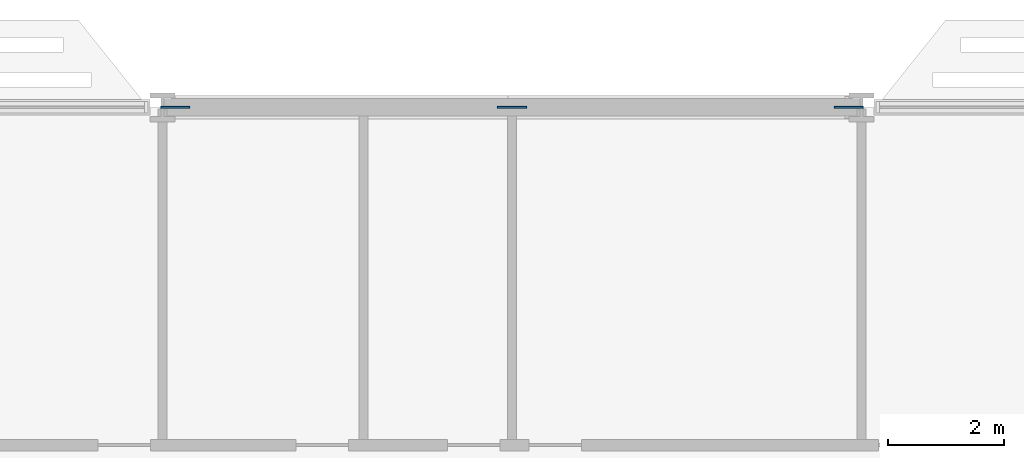
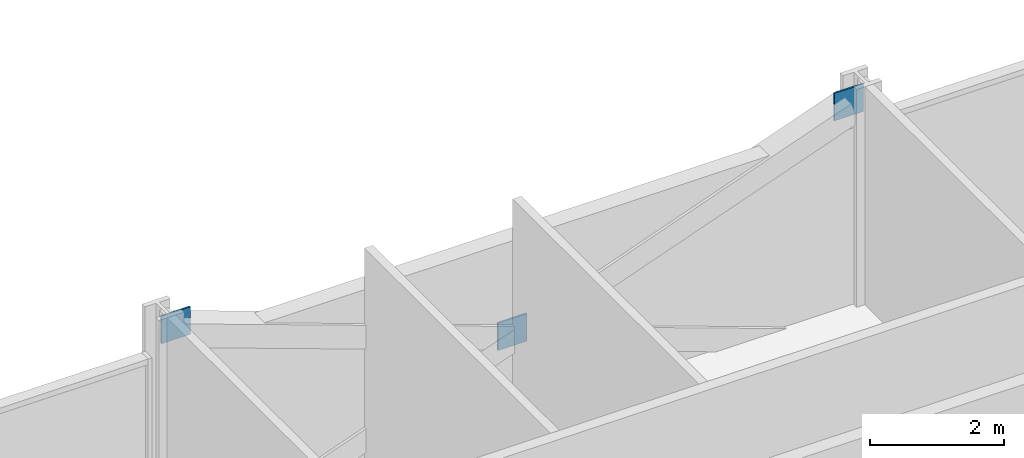
# One storey, part 18 of 26: 3 discrete accessories.
"""IFC4 building model written with IfcOpenShell, lengths in metres."""

from ifc_helpers import new_model, si_unit, direction, frame, origin, origin_2d, place, context, subcontext, project, spatial, rectangle, extrude, material, layer, layer_set, type_object, element, save


model = new_model("IFC4")

# Units and contexts
model_context = context("Model", 3, precision=1e-05, world=origin(), true_north=direction((0.0, 1.0)))
body_context = subcontext(model_context, "Body", "Model", "MODEL_VIEW")
ifc_project = project(units=[si_unit("LENGTHUNIT", "METRE"), si_unit("AREAUNIT", "SQUARE_METRE"), si_unit("VOLUMEUNIT", "CUBIC_METRE"), si_unit("PLANEANGLEUNIT", "RADIAN"), si_unit("MASSUNIT", "GRAM", prefix="KILO")], contexts=[model_context])

# Site, building, storey
site_placement = place(None, origin())
site = spatial("IfcSite", under=ifc_project, at=site_placement, CompositionType="ELEMENT")
building_placement = place(site_placement, origin())
building = spatial("IfcBuilding", under=site, at=building_placement, Name="Mahtab Terrace Research Tower", CompositionType="ELEMENT")
storey_placement = place(building_placement, frame((0.0, 0.0, 15.800048828125)))
storey = spatial("IfcBuildingStorey", under=building, at=storey_placement, Name="L03", CompositionType="ELEMENT", Elevation=15.800048828125)

# Discrete accessories
ifc_material = material(Name="Steel ASTM A992 Gr 50", Category="steel")
ifc_layer = layer(ifc_material, 0.030029296875)
ifc_layer_set = layer_set([ifc_layer], Name="Gusset plate 500x500x30")
discrete_accessory_type = type_object("IfcDiscreteAccessoryType", Name="Gusset plate 500x500x30", PredefinedType="USERDEFINED", material=ifc_layer_set)
for number, where, z_axis, x_axis, name in (
    (1, (-5.7841796875, 23.0, 3.33154296875), (0.0, 0.0, 1.0), (1.0, 0.0, 0.0), "Gusset plate"),
    (2, (0.0, 23.0, 1.181640625), (0.0, 0.0, 1.0), (1.0, 0.0, 0.0), "Gusset plate"),
    (3, (5.7841796875, 23.0, 3.33154296875), (0.0, 0.0, 1.0), (1.0, 0.0, 0.0), "Gusset plate"),
):
    element("IfcDiscreteAccessory", number, at=place(storey_placement, frame(where, z_axis=z_axis, x_axis=x_axis)), inside=storey, type_object=discrete_accessory_type, Name=name, ObjectType="GUSSET PLATE", PredefinedType="USERDEFINED", context=body_context, shape_type="SweptSolid", body=[
        extrude(rectangle(XDim=0.5, YDim=0.030029296875, at=origin_2d()), origin(), (0.0, 0.0, 1.0), 0.5),
    ])

save(model, "model.ifc")
